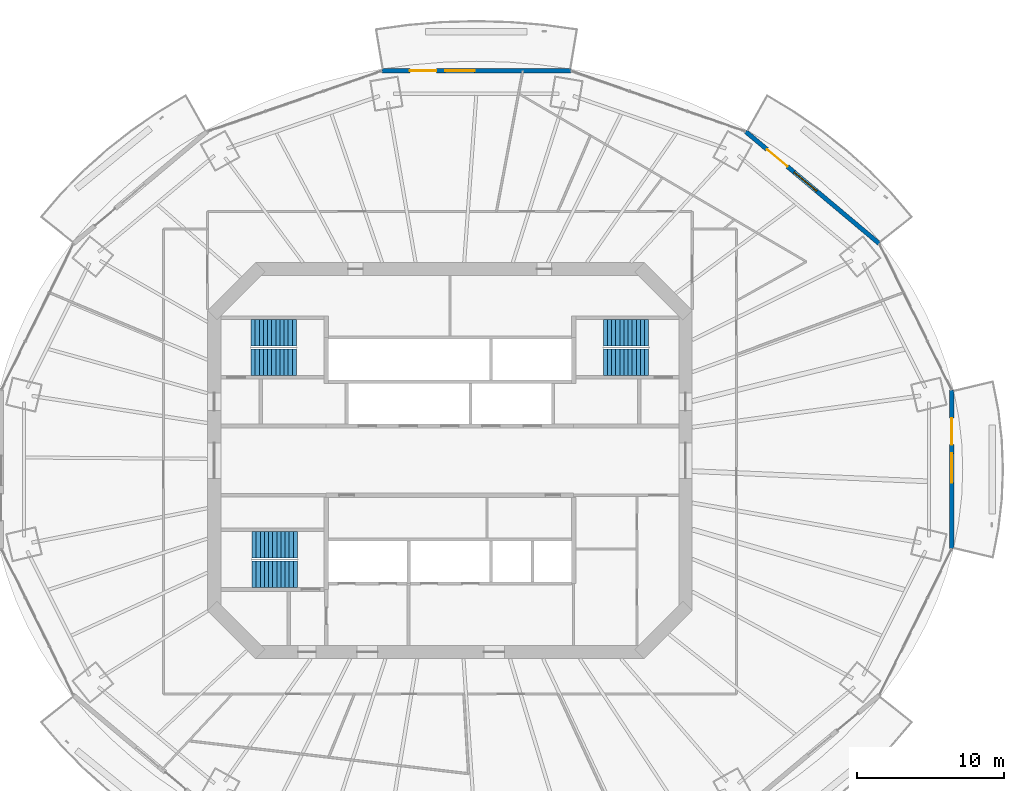
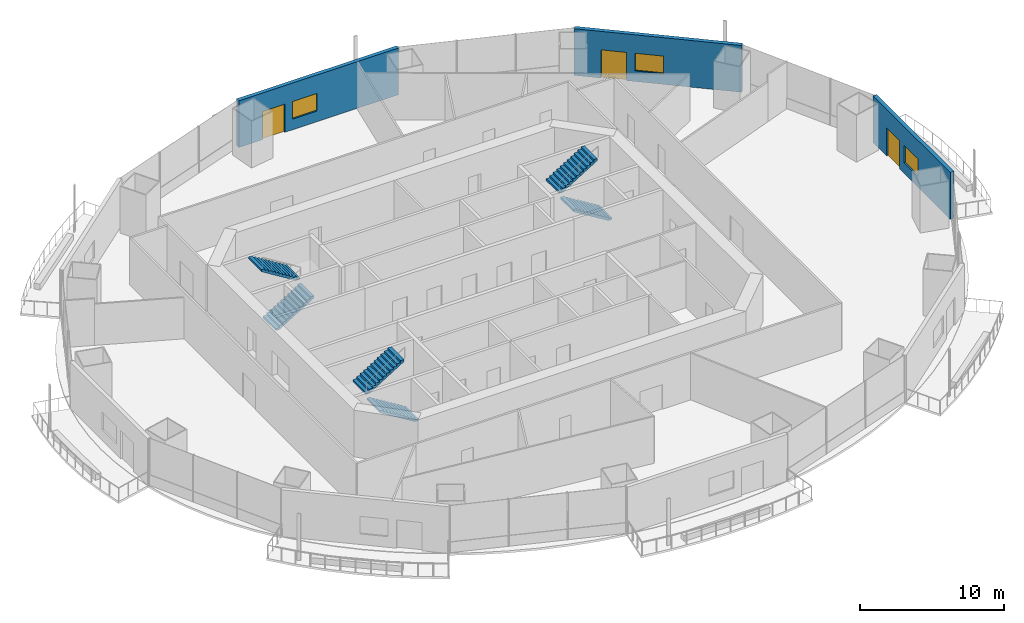
# One storey, part 15 of 21: 6 stair flights, 3 doors, 3 walls, 3 windows, 6 openings, 3 elements without a shape of their own.
"""IFC4 building model written with IfcOpenShell, lengths in metres."""

from ifc_helpers import new_model, si_unit, direction, frame, frame_2d, origin, place, context, subcontext, project, spatial, polyline, rectangle, outline, extrude, material, layer, layer_set, type_object, element, fill, aggregate, save


model = new_model("IFC4")

# Units and contexts
model_context = context("Model", 3, precision=1e-05, world=origin(), true_north=direction((0.0, 1.0)))
body_context = subcontext(model_context, "Body", "Model", "MODEL_VIEW")
ifc_project = project(units=[si_unit("LENGTHUNIT", "METRE"), si_unit("AREAUNIT", "SQUARE_METRE"), si_unit("VOLUMEUNIT", "CUBIC_METRE"), si_unit("PLANEANGLEUNIT", "RADIAN"), si_unit("MASSUNIT", "GRAM", prefix="KILO")], contexts=[model_context])

# Site, building, storey
site_placement = place(None, origin())
site = spatial("IfcSite", under=ifc_project, at=site_placement, CompositionType="ELEMENT")
building_placement = place(site_placement, origin())
building = spatial("IfcBuilding", under=site, at=building_placement, Name="Marenthal Gate Tower", CompositionType="ELEMENT")
storey_placement = place(building_placement, frame((0.0, 0.0, 169.35009765625)))
storey = spatial("IfcBuildingStorey", under=building, at=storey_placement, Name="L36", CompositionType="ELEMENT", Elevation=169.35009765625)

# Wall, openings, door, window
ifc_material_1 = material(Name="Terracotta cladding on insulated concrete-block backing", Category="masonry")
ifc_layer = layer(ifc_material_1, 0.300048828125)
ifc_layer_set = layer_set([ifc_layer], Name="Terracotta facade wall 300")
wall_type = type_object("IfcWallType", Name="Terracotta facade wall 300", PredefinedType="SOLIDWALL", material=ifc_layer_set)
wall_1_placement = place(storey_placement, frame((29.154541015625, 14.729248046875, 0.0), z_axis=(0.0, 0.0, 1.0), x_axis=(-0.766205617694, 0.642595480387, 0.0)))
wall_1 = element("IfcWall", 1, at=wall_1_placement, inside=storey, type_object=wall_type, Name="Terracotta facade wall L36 bay 2", PredefinedType="SOLIDWALL", context=body_context, shape_type="SweptSolid", body=[
    extrude(rectangle(XDim=11.8466796875, YDim=0.300048828125, at=frame_2d((5.92333984375, 0.0))), origin(), (0.0, 0.0, 1.0), 3.969970703125),
])
opening_1_placement = place(wall_1_placement, frame((8.146484375, 0.0, 0.0)))
opening_1 = element("IfcOpeningElement", 2, at=opening_1_placement, cuts=wall_1, Name="Opening BD-L36-02", PredefinedType="OPENING", context=body_context, shape_type="SweptSolid", body=[
    extrude(rectangle(XDim=1.800048828125, YDim=2.39990234375, at=frame_2d((0.89990234375, 1.199951171875))), frame((0.0, 0.16015625, 0.0), z_axis=(0.0, -1.0, 0.0), x_axis=(1.0, 0.0, 0.0)), (0.0, 0.0, 1.0), 0.320068359375),
])
opening_2_placement = place(wall_1_placement, frame((5.54638671875, 0.0, 0.89990234375)))
opening_2 = element("IfcOpeningElement", 3, at=opening_2_placement, cuts=wall_1, Name="Opening WN2-L36-02", PredefinedType="OPENING", context=body_context, shape_type="SweptSolid", body=[
    extrude(rectangle(XDim=2.0, YDim=1.5, at=frame_2d((1.0, 0.75))), frame((0.0, 0.16015625, 0.0), z_axis=(0.0, -1.0, 0.0), x_axis=(1.0, 0.0, 0.0)), (0.0, 0.0, 1.0), 0.320068359375),
])
ifc_material_2 = material(Name="Aluminium and glass", Category="aluminium")
door_type = type_object("IfcDoorType", Name="Balcony door 1800x2400", OperationType="DOUBLE_DOOR_SINGLE_SWING", PredefinedType="DOOR", material=ifc_material_2)
door_1_placement = place(opening_1_placement, origin())
door_1 = element("IfcDoor", 4, at=door_1_placement, inside=storey, type_object=door_type, Name="Balcony door L36 bay 2", OperationType="SINGLE_SWING_LEFT", OverallHeight=2.39990234375, OverallWidth=1.800048828125, PredefinedType="DOOR", context=body_context, shape_type="SweptSolid", body=[
    extrude(rectangle(XDim=1.800048828125, YDim=2.39990234375, at=frame_2d((0.89990234375, 1.199951171875))), frame((0.0, 0.02490234375, 0.0), z_axis=(0.0, -1.0, 0.0), x_axis=(1.0, 0.0, 0.0)), (0.0, 0.0, 1.0), 0.050048828125),
])
fill(opening_1, door_1)
ifc_material_3 = material(Name="Aluminium and glass", Category="aluminium")
window_type = type_object("IfcWindowType", Name="Window 2000x1500", PartitioningType="DOUBLE_PANEL_VERTICAL", PredefinedType="WINDOW", material=ifc_material_3)
window_1_placement = place(opening_2_placement, origin())
window_1 = element("IfcWindow", 5, at=window_1_placement, inside=storey, type_object=window_type, Name="Window L36 bay 2", OverallHeight=1.5, OverallWidth=2.0, PartitioningType="SINGLE_PANEL", PredefinedType="WINDOW", context=body_context, shape_type="SweptSolid", body=[
    extrude(rectangle(XDim=2.0, YDim=1.5, at=frame_2d((1.0, 0.75))), frame((0.0, 0.030029296875, 0.0), z_axis=(0.0, -1.0, 0.0), x_axis=(1.0, 0.0, 0.0)), (0.0, 0.0, 1.0), 0.06005859375),
])
fill(opening_2, window_1)

wall_2_placement = place(storey_placement, frame((8.21826171875, 26.4619140625, 0.0), z_axis=(0.0, 0.0, 1.0), x_axis=(-1.0, 0.0, 0.0)))
wall_2 = element("IfcWall", 6, at=wall_2_placement, inside=storey, type_object=wall_type, Name="Terracotta facade wall L36 bay 4", PredefinedType="SOLIDWALL", context=body_context, shape_type="SweptSolid", body=[
    extrude(rectangle(XDim=12.836669921875, YDim=0.300048828125, at=frame_2d((6.41845703125, 0.0))), origin(), (0.0, 0.0, 1.0), 3.969970703125),
])
opening_3_placement = place(wall_2_placement, frame((9.13671875, 0.0, 0.0)))
opening_3 = element("IfcOpeningElement", 7, at=opening_3_placement, cuts=wall_2, Name="Opening BD-L36-04", PredefinedType="OPENING", context=body_context, shape_type="SweptSolid", body=[
    extrude(rectangle(XDim=1.800048828125, YDim=2.39990234375, at=frame_2d((0.89990234375, 1.199951171875))), frame((0.0, 0.16015625, 0.0), z_axis=(0.0, -1.0, 0.0), x_axis=(1.0, 0.0, 0.0)), (0.0, 0.0, 1.0), 0.320068359375),
])
opening_4_placement = place(wall_2_placement, frame((6.53662109375, 0.0, 0.89990234375)))
opening_4 = element("IfcOpeningElement", 8, at=opening_4_placement, cuts=wall_2, Name="Opening WN2-L36-04", PredefinedType="OPENING", context=body_context, shape_type="SweptSolid", body=[
    extrude(rectangle(XDim=2.0, YDim=1.5, at=frame_2d((1.0, 0.75))), frame((0.0, 0.16015625, 0.0), z_axis=(0.0, -1.0, 0.0), x_axis=(1.0, 0.0, 0.0)), (0.0, 0.0, 1.0), 0.320068359375),
])
door_2_placement = place(opening_3_placement, origin())
door_2 = element("IfcDoor", 9, at=door_2_placement, inside=storey, type_object=door_type, Name="Balcony door L36 bay 4", OperationType="SINGLE_SWING_LEFT", OverallHeight=2.39990234375, OverallWidth=1.800048828125, PredefinedType="DOOR", context=body_context, shape_type="SweptSolid", body=[
    extrude(rectangle(XDim=1.800048828125, YDim=2.39990234375, at=frame_2d((0.89990234375, 1.199951171875))), frame((0.0, 0.02490234375, 0.0), z_axis=(0.0, -1.0, 0.0), x_axis=(1.0, 0.0, 0.0)), (0.0, 0.0, 1.0), 0.050048828125),
])
fill(opening_3, door_2)
window_2_placement = place(opening_4_placement, origin())
window_2 = element("IfcWindow", 10, at=window_2_placement, inside=storey, type_object=window_type, Name="Window L36 bay 4", OverallHeight=1.5, OverallWidth=2.0, PartitioningType="SINGLE_PANEL", PredefinedType="WINDOW", context=body_context, shape_type="SweptSolid", body=[
    extrude(rectangle(XDim=2.0, YDim=1.5, at=frame_2d((1.0, 0.75))), frame((0.0, 0.030029296875, 0.0), z_axis=(0.0, -1.0, 0.0), x_axis=(1.0, 0.0, 0.0)), (0.0, 0.0, 1.0), 0.06005859375),
])
fill(opening_4, window_2)

wall_3_placement = place(storey_placement, frame((34.06689453125, -5.98291015625, 0.0), z_axis=(0.0, 0.0, 1.0), x_axis=(0.0, 1.0, 0.0)))
wall_3 = element("IfcWall", 11, at=wall_3_placement, inside=storey, type_object=wall_type, Name="Terracotta facade wall L36 bay 16", PredefinedType="SOLIDWALL", context=body_context, shape_type="SweptSolid", body=[
    extrude(rectangle(XDim=10.765869140625, YDim=0.300048828125, at=frame_2d((5.3828125, 0.0))), origin(), (0.0, 0.0, 1.0), 3.969970703125),
])
opening_5_placement = place(wall_3_placement, frame((7.06591796875, 0.0, 0.0)))
opening_5 = element("IfcOpeningElement", 12, at=opening_5_placement, cuts=wall_3, Name="Opening BD-L36-16", PredefinedType="OPENING", context=body_context, shape_type="SweptSolid", body=[
    extrude(rectangle(XDim=1.800048828125, YDim=2.39990234375, at=frame_2d((0.89990234375, 1.199951171875))), frame((0.0, 0.16015625, 0.0), z_axis=(0.0, -1.0, 0.0), x_axis=(1.0, 0.0, 0.0)), (0.0, 0.0, 1.0), 0.320068359375),
])
opening_6_placement = place(wall_3_placement, frame((4.4658203125, 0.0, 0.89990234375)))
opening_6 = element("IfcOpeningElement", 13, at=opening_6_placement, cuts=wall_3, Name="Opening WN2-L36-16", PredefinedType="OPENING", context=body_context, shape_type="SweptSolid", body=[
    extrude(rectangle(XDim=2.0, YDim=1.5, at=frame_2d((1.0, 0.75))), frame((0.0, 0.16015625, 0.0), z_axis=(0.0, -1.0, 0.0), x_axis=(1.0, 0.0, 0.0)), (0.0, 0.0, 1.0), 0.320068359375),
])
door_3_placement = place(opening_5_placement, origin())
door_3 = element("IfcDoor", 14, at=door_3_placement, inside=storey, type_object=door_type, Name="Balcony door L36 bay 16", OperationType="SINGLE_SWING_LEFT", OverallHeight=2.39990234375, OverallWidth=1.800048828125, PredefinedType="DOOR", context=body_context, shape_type="SweptSolid", body=[
    extrude(rectangle(XDim=1.800048828125, YDim=2.39990234375, at=frame_2d((0.89990234375, 1.199951171875))), frame((0.0, 0.02490234375, 0.0), z_axis=(0.0, -1.0, 0.0), x_axis=(1.0, 0.0, 0.0)), (0.0, 0.0, 1.0), 0.050048828125),
])
fill(opening_5, door_3)
window_3_placement = place(opening_6_placement, origin())
window_3 = element("IfcWindow", 15, at=window_3_placement, inside=storey, type_object=window_type, Name="Window L36 bay 16", OverallHeight=1.5, OverallWidth=2.0, PartitioningType="SINGLE_PANEL", PredefinedType="WINDOW", context=body_context, shape_type="SweptSolid", body=[
    extrude(rectangle(XDim=2.0, YDim=1.5, at=frame_2d((1.0, 0.75))), frame((0.0, 0.030029296875, 0.0), z_axis=(0.0, -1.0, 0.0), x_axis=(1.0, 0.0, 0.0)), (0.0, 0.0, 1.0), 0.06005859375),
])
fill(opening_6, window_3)

# Stair, stair flights
ifc_material_4 = material(Name="Concrete 40 MPa", Category="concrete")
stair_type = type_object("IfcStairType", Name="Exit stair 1800", PredefinedType="HALF_TURN_STAIR", material=ifc_material_4)
stair_1_placement = place(storey_placement, origin())
stair_1 = element("IfcStair", 16, at=stair_1_placement, inside=storey, type_object=stair_type, Name="Stair ST1", PredefinedType="HALF_TURN_STAIR")
ifc_material_5 = material(Name="Concrete 40 MPa", Category="concrete")
stair_flight_type = type_object("IfcStairFlightType", Name="Stair flight 1800", PredefinedType="STRAIGHT", material=ifc_material_5)
stair_flight_1_placement = place(storey_placement, frame((-13.5, 6.675048828125, 0.0), z_axis=(0.0, 0.0, 1.0), x_axis=(1.0, 0.0, 0.0)))
stair_flight_1 = element("IfcStairFlight", 17, at=stair_flight_1_placement, type_object=stair_flight_type, Name="ST1 flight 1", NumberOfRisers=12, NumberOfTreads=11, PredefinedType="STRAIGHT", RiserHeight=0.172916667, TreadLength=0.28, context=body_context, shape_type="SweptSolid", body=[
    extrude(outline(polyline([(0.0, 0.0), (0.0, 0.1728515625), (0.280029296875, 0.1728515625), (0.280029296875, 0.345947265625), (0.56005859375, 0.345947265625), (0.56005859375, 0.518798828125), (0.840087890625, 0.518798828125), (0.840087890625, 0.691650390625), (1.1201171875, 0.691650390625), (1.1201171875, 0.864501953125), (1.39990234375, 0.864501953125), (1.39990234375, 1.03759765625), (1.679931640625, 1.03759765625), (1.679931640625, 1.21044921875), (1.9599609375, 1.21044921875), (1.9599609375, 1.38330078125), (2.239990234375, 1.38330078125), (2.239990234375, 1.55615234375), (2.52001953125, 1.55615234375), (2.52001953125, 1.729248046875), (2.800048828125, 1.729248046875), (2.800048828125, 1.902099609375), (3.080078125, 1.902099609375), (3.080078125, 2.074951171875), (3.080078125, 1.725830078125), (0.285400390625, 0.0), (0.0, 0.0)])), frame((0.0, 0.89990234375, 0.0), z_axis=(0.0, -1.0, 0.0), x_axis=(1.0, 0.0, 0.0)), (0.0, 0.0, 1.0), 1.800048828125),
])
stair_flight_2_placement = place(storey_placement, frame((-10.419921875, 8.675048828125, 2.074951171875), z_axis=(0.0, 0.0, 1.0), x_axis=(-1.0, 0.0, 0.0)))
stair_flight_2 = element("IfcStairFlight", 18, at=stair_flight_2_placement, type_object=stair_flight_type, Name="ST1 flight 2", NumberOfRisers=12, NumberOfTreads=11, PredefinedType="STRAIGHT", RiserHeight=0.172916667, TreadLength=0.28, context=body_context, shape_type="SweptSolid", body=[
    extrude(outline(polyline([(0.0, 0.0), (0.0, 0.1728515625), (0.280029296875, 0.1728515625), (0.280029296875, 0.345947265625), (0.56005859375, 0.345947265625), (0.56005859375, 0.518798828125), (0.840087890625, 0.518798828125), (0.840087890625, 0.691650390625), (1.1201171875, 0.691650390625), (1.1201171875, 0.864501953125), (1.39990234375, 0.864501953125), (1.39990234375, 1.03759765625), (1.679931640625, 1.03759765625), (1.679931640625, 1.21044921875), (1.9599609375, 1.21044921875), (1.9599609375, 1.38330078125), (2.239990234375, 1.38330078125), (2.239990234375, 1.55615234375), (2.52001953125, 1.55615234375), (2.52001953125, 1.729248046875), (2.800048828125, 1.729248046875), (2.800048828125, 1.902099609375), (3.080078125, 1.902099609375), (3.080078125, 2.074951171875), (3.080078125, 1.725830078125), (0.285400390625, 0.0), (0.0, 0.0)])), frame((0.0, 0.89990234375, 0.0), z_axis=(0.0, -1.0, 0.0), x_axis=(1.0, 0.0, 0.0)), (0.0, 0.0, 1.0), 1.800048828125),
])
aggregate(stair_1, [stair_flight_1, stair_flight_2])

stair_2_placement = place(storey_placement, origin())
stair_2 = element("IfcStair", 19, at=stair_2_placement, inside=storey, type_object=stair_type, Name="Stair ST2", PredefinedType="HALF_TURN_STAIR")
stair_flight_3_placement = place(storey_placement, frame((-10.35009765625, -7.72509765625, 0.0), z_axis=(0.0, 0.0, 1.0), x_axis=(-1.0, 0.0, 0.0)))
stair_flight_3 = element("IfcStairFlight", 20, at=stair_flight_3_placement, type_object=stair_flight_type, Name="ST2 flight 1", NumberOfRisers=12, NumberOfTreads=11, PredefinedType="STRAIGHT", RiserHeight=0.172916667, TreadLength=0.28, context=body_context, shape_type="SweptSolid", body=[
    extrude(outline(polyline([(0.0, 0.0), (0.0, 0.1728515625), (0.280029296875, 0.1728515625), (0.280029296875, 0.345947265625), (0.56005859375, 0.345947265625), (0.56005859375, 0.518798828125), (0.840087890625, 0.518798828125), (0.840087890625, 0.691650390625), (1.1201171875, 0.691650390625), (1.1201171875, 0.864501953125), (1.39990234375, 0.864501953125), (1.39990234375, 1.03759765625), (1.679931640625, 1.03759765625), (1.679931640625, 1.21044921875), (1.9599609375, 1.21044921875), (1.9599609375, 1.38330078125), (2.239990234375, 1.38330078125), (2.239990234375, 1.55615234375), (2.52001953125, 1.55615234375), (2.52001953125, 1.729248046875), (2.800048828125, 1.729248046875), (2.800048828125, 1.902099609375), (3.080078125, 1.902099609375), (3.080078125, 2.074951171875), (3.080078125, 1.725830078125), (0.285400390625, 0.0), (0.0, 0.0)])), frame((0.0, 0.89990234375, 0.0), z_axis=(0.0, -1.0, 0.0), x_axis=(1.0, 0.0, 0.0)), (0.0, 0.0, 1.0), 1.800048828125),
])
stair_flight_4_placement = place(storey_placement, frame((-13.429931640625, -5.72509765625, 2.074951171875), z_axis=(0.0, 0.0, 1.0), x_axis=(1.0, 0.0, 0.0)))
stair_flight_4 = element("IfcStairFlight", 21, at=stair_flight_4_placement, type_object=stair_flight_type, Name="ST2 flight 2", NumberOfRisers=12, NumberOfTreads=11, PredefinedType="STRAIGHT", RiserHeight=0.172916667, TreadLength=0.28, context=body_context, shape_type="SweptSolid", body=[
    extrude(outline(polyline([(0.0, 0.0), (0.0, 0.1728515625), (0.280029296875, 0.1728515625), (0.280029296875, 0.345947265625), (0.56005859375, 0.345947265625), (0.56005859375, 0.518798828125), (0.840087890625, 0.518798828125), (0.840087890625, 0.691650390625), (1.1201171875, 0.691650390625), (1.1201171875, 0.864501953125), (1.39990234375, 0.864501953125), (1.39990234375, 1.03759765625), (1.679931640625, 1.03759765625), (1.679931640625, 1.21044921875), (1.9599609375, 1.21044921875), (1.9599609375, 1.38330078125), (2.239990234375, 1.38330078125), (2.239990234375, 1.55615234375), (2.52001953125, 1.55615234375), (2.52001953125, 1.729248046875), (2.800048828125, 1.729248046875), (2.800048828125, 1.902099609375), (3.080078125, 1.902099609375), (3.080078125, 2.074951171875), (3.080078125, 1.725830078125), (0.285400390625, 0.0), (0.0, 0.0)])), frame((0.0, 0.89990234375, 0.0), z_axis=(0.0, -1.0, 0.0), x_axis=(1.0, 0.0, 0.0)), (0.0, 0.0, 1.0), 1.800048828125),
])
aggregate(stair_2, [stair_flight_3, stair_flight_4])

stair_3_placement = place(storey_placement, origin())
stair_3 = element("IfcStair", 22, at=stair_3_placement, inside=storey, type_object=stair_type, Name="Stair ST3", PredefinedType="HALF_TURN_STAIR")
stair_flight_5_placement = place(storey_placement, frame((13.5, 6.675048828125, 0.0), z_axis=(0.0, 0.0, 1.0), x_axis=(-1.0, 0.0, 0.0)))
stair_flight_5 = element("IfcStairFlight", 23, at=stair_flight_5_placement, type_object=stair_flight_type, Name="ST3 flight 1", NumberOfRisers=12, NumberOfTreads=11, PredefinedType="STRAIGHT", RiserHeight=0.172916667, TreadLength=0.28, context=body_context, shape_type="SweptSolid", body=[
    extrude(outline(polyline([(0.0, 0.0), (0.0, 0.1728515625), (0.280029296875, 0.1728515625), (0.280029296875, 0.345947265625), (0.56005859375, 0.345947265625), (0.56005859375, 0.518798828125), (0.840087890625, 0.518798828125), (0.840087890625, 0.691650390625), (1.1201171875, 0.691650390625), (1.1201171875, 0.864501953125), (1.39990234375, 0.864501953125), (1.39990234375, 1.03759765625), (1.679931640625, 1.03759765625), (1.679931640625, 1.21044921875), (1.9599609375, 1.21044921875), (1.9599609375, 1.38330078125), (2.239990234375, 1.38330078125), (2.239990234375, 1.55615234375), (2.52001953125, 1.55615234375), (2.52001953125, 1.729248046875), (2.800048828125, 1.729248046875), (2.800048828125, 1.902099609375), (3.080078125, 1.902099609375), (3.080078125, 2.074951171875), (3.080078125, 1.725830078125), (0.285400390625, 0.0), (0.0, 0.0)])), frame((0.0, 0.89990234375, 0.0), z_axis=(0.0, -1.0, 0.0), x_axis=(1.0, 0.0, 0.0)), (0.0, 0.0, 1.0), 1.800048828125),
])
stair_flight_6_placement = place(storey_placement, frame((10.419921875, 8.675048828125, 2.074951171875), z_axis=(0.0, 0.0, 1.0), x_axis=(1.0, 0.0, 0.0)))
stair_flight_6 = element("IfcStairFlight", 24, at=stair_flight_6_placement, type_object=stair_flight_type, Name="ST3 flight 2", NumberOfRisers=12, NumberOfTreads=11, PredefinedType="STRAIGHT", RiserHeight=0.172916667, TreadLength=0.28, context=body_context, shape_type="SweptSolid", body=[
    extrude(outline(polyline([(0.0, 0.0), (0.0, 0.1728515625), (0.280029296875, 0.1728515625), (0.280029296875, 0.345947265625), (0.56005859375, 0.345947265625), (0.56005859375, 0.518798828125), (0.840087890625, 0.518798828125), (0.840087890625, 0.691650390625), (1.1201171875, 0.691650390625), (1.1201171875, 0.864501953125), (1.39990234375, 0.864501953125), (1.39990234375, 1.03759765625), (1.679931640625, 1.03759765625), (1.679931640625, 1.21044921875), (1.9599609375, 1.21044921875), (1.9599609375, 1.38330078125), (2.239990234375, 1.38330078125), (2.239990234375, 1.55615234375), (2.52001953125, 1.55615234375), (2.52001953125, 1.729248046875), (2.800048828125, 1.729248046875), (2.800048828125, 1.902099609375), (3.080078125, 1.902099609375), (3.080078125, 2.074951171875), (3.080078125, 1.725830078125), (0.285400390625, 0.0), (0.0, 0.0)])), frame((0.0, 0.89990234375, 0.0), z_axis=(0.0, -1.0, 0.0), x_axis=(1.0, 0.0, 0.0)), (0.0, 0.0, 1.0), 1.800048828125),
])
aggregate(stair_3, [stair_flight_5, stair_flight_6])

save(model, "model.ifc")
